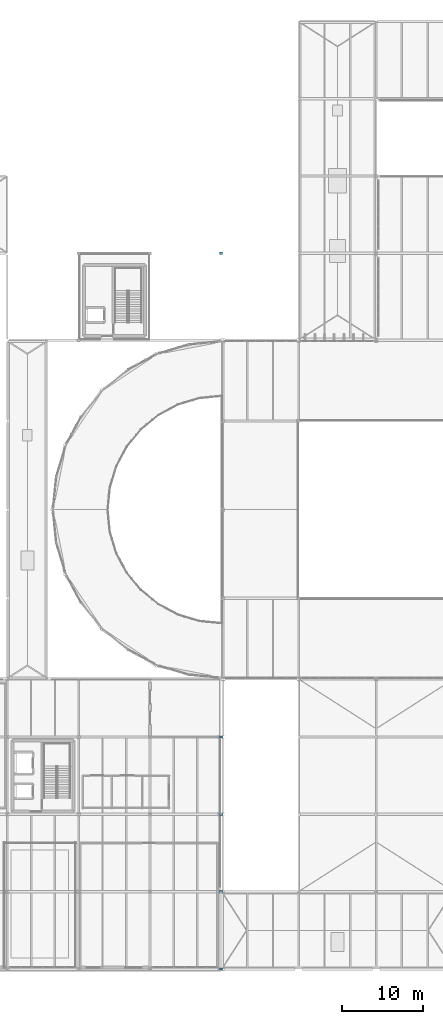
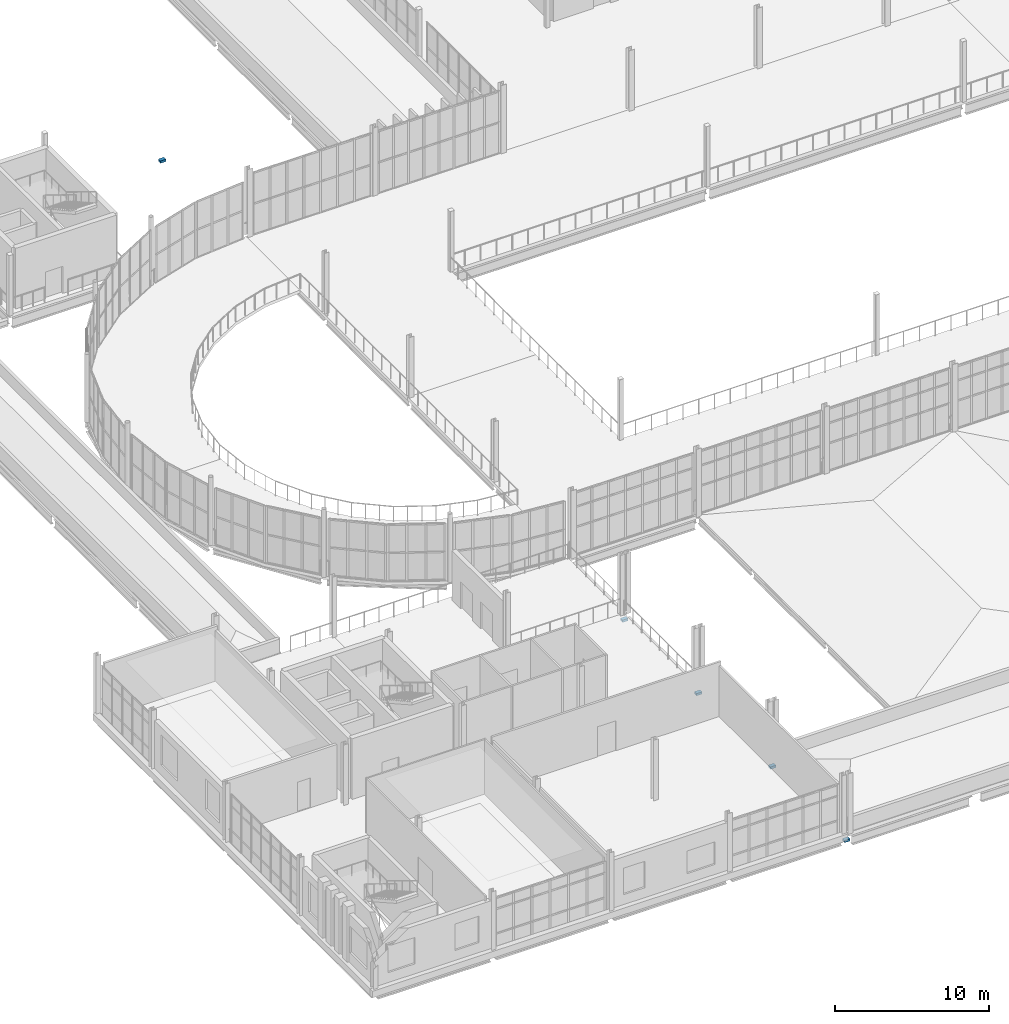
# One storey, part 100 of 112: 5 discrete accessories.
"""IFC4 building model written with IfcOpenShell, lengths in metres."""

from ifc_helpers import new_model, si_unit, direction, frame, origin, origin_2d, place, context, subcontext, project, spatial, rectangle, extrude, material, type_object, element, save


model = new_model("IFC4")

# Units and contexts
model_context = context("Model", 3, precision=1e-05, world=origin(), true_north=direction((0.0, 1.0)))
body_context = subcontext(model_context, "Body", "Model", "MODEL_VIEW")
ifc_project = project(units=[si_unit("LENGTHUNIT", "METRE"), si_unit("AREAUNIT", "SQUARE_METRE"), si_unit("VOLUMEUNIT", "CUBIC_METRE"), si_unit("PLANEANGLEUNIT", "RADIAN"), si_unit("MASSUNIT", "GRAM", prefix="KILO")], contexts=[model_context])

# Site, building, storey
site_placement = place(None, origin())
site = spatial("IfcSite", under=ifc_project, at=site_placement, CompositionType="ELEMENT")
building_placement = place(site_placement, origin())
building = spatial("IfcBuilding", under=site, at=building_placement, Name="Yeouljin Market Hall", CompositionType="ELEMENT")
storey_placement = place(building_placement, frame((0.0, 0.0, 6.0)))
storey = spatial("IfcBuildingStorey", under=building, at=storey_placement, Name="L01", CompositionType="ELEMENT", Elevation=6.0)

# Discrete accessories
ifc_material = material(Name="Steel SM355", Category="steel")
discrete_accessory_type = type_object("IfcDiscreteAccessoryType", Name="Bracket_MovementJoint_Shoe", PredefinedType="SHOE", material=ifc_material)
for number, where, z_axis, x_axis, name in (
    (1, (35.360107421875, 0.0, -0.58984375), (0.0, 0.0, 1.0), (1.0, 0.0, 0.0), "Unguided PTFE movement joint bearing L01"),
    (2, (35.360107421875, 9.60009765625, -0.58984375), (0.0, 0.0, 1.0), (1.0, 0.0, 0.0), "Unguided PTFE movement joint bearing L01"),
    (3, (35.360107421875, 19.199951171875, -0.58984375), (0.0, 0.0, 1.0), (1.0, 0.0, 0.0), "Unguided PTFE movement joint bearing L01"),
    (4, (35.360107421875, 28.800048828125, -0.58984375), (0.0, 0.0, 1.0), (1.0, 0.0, 0.0), "Unguided PTFE movement joint bearing L01"),
    (5, (35.360107421875, 88.800048828125, -0.58984375), (0.0, 0.0, 1.0), (1.0, 0.0, 0.0), "Unguided PTFE movement joint bearing L01"),
):
    element("IfcDiscreteAccessory", number, at=place(storey_placement, frame(where, z_axis=z_axis, x_axis=x_axis)), inside=storey, type_object=discrete_accessory_type, Name=name, PredefinedType="SHOE", context=body_context, shape_type="SweptSolid", body=[
        extrude(rectangle(XDim=0.419921875, YDim=0.280029296875, at=origin_2d()), origin(), (0.0, 0.0, 1.0), 0.179931640625),
    ])

save(model, "model.ifc")
